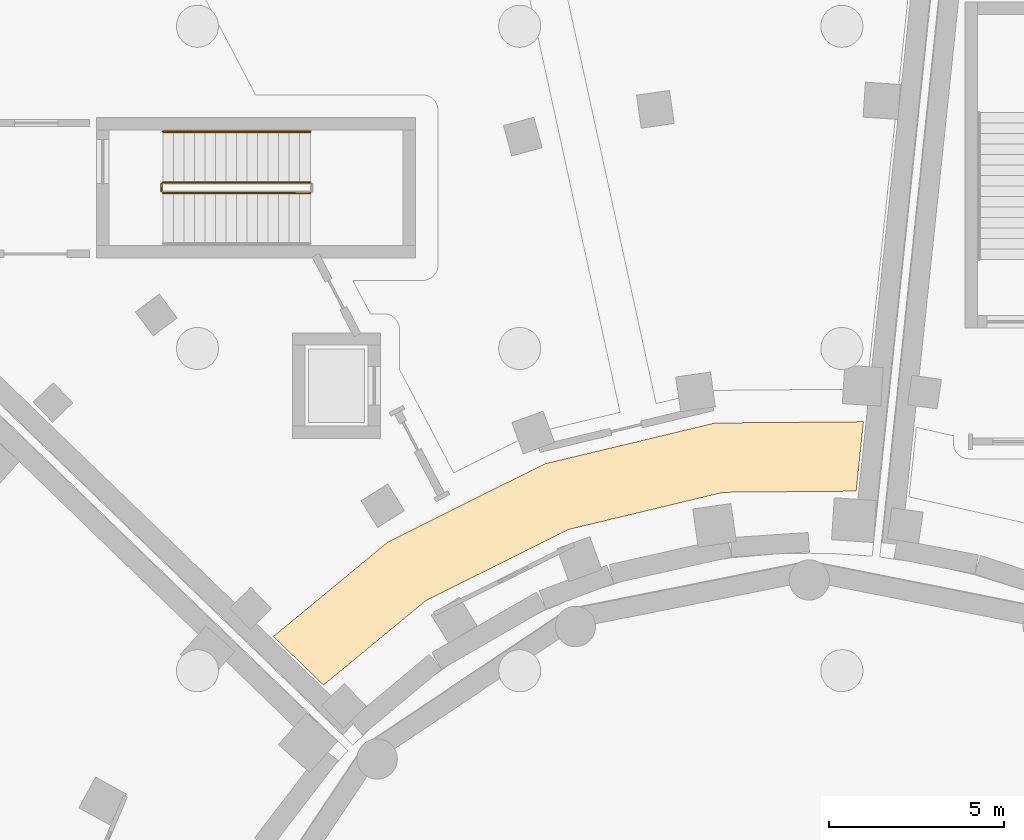
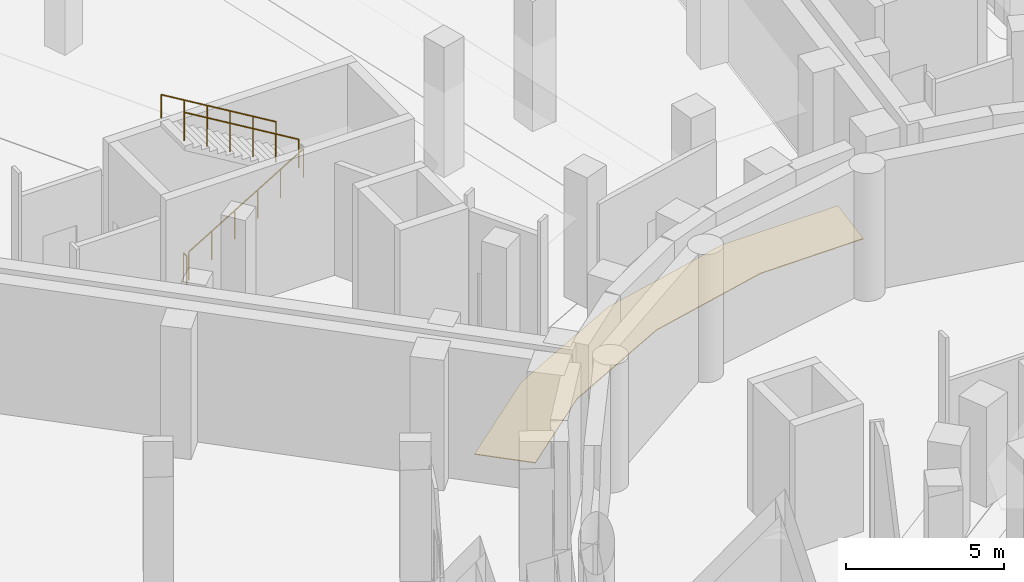
# One storey, part 26 of 33: 4 railings, 1 covering.
"""IFC4 building model written with IfcOpenShell, lengths in metres."""

from ifc_helpers import new_model, si_unit, direction, frame, origin, origin_2d, place, context, subcontext, project, spatial, polyline, circle, outline, extrude, material, layer, layer_set, type_object, element, save


model = new_model("IFC4")

# Units and contexts
model_context = context("Model", 3, precision=1e-05, world=origin(), true_north=direction((0.0, 1.0)))
body_context = subcontext(model_context, "Body", "Model", "MODEL_VIEW")
ifc_project = project(units=[si_unit("LENGTHUNIT", "METRE"), si_unit("AREAUNIT", "SQUARE_METRE"), si_unit("VOLUMEUNIT", "CUBIC_METRE"), si_unit("PLANEANGLEUNIT", "RADIAN"), si_unit("MASSUNIT", "GRAM", prefix="KILO")], contexts=[model_context])

# Site, building, storey
site_placement = place(None, origin())
site = spatial("IfcSite", under=ifc_project, at=site_placement, CompositionType="ELEMENT")
building_placement = place(site_placement, origin())
building = spatial("IfcBuilding", under=site, at=building_placement, Name="Soyqirgoq Riverine Aquarium", CompositionType="ELEMENT")
storey_placement = place(building_placement, frame((0.0, 0.0, -5.39990234375)))
storey = spatial("IfcBuildingStorey", under=building, at=storey_placement, Name="B01", CompositionType="ELEMENT", Elevation=-5.39990234375)

# Railings
ifc_material_1 = material(Name="Brushed stainless steel 316L tubular handrail", Category="steel")
railing_type_1 = type_object("IfcRailingType", Name="StairPitchHandrail_920", PredefinedType="HANDRAIL", material=ifc_material_1)
railing_1_placement = place(storey_placement, frame((41.75, 87.25, 2.8798828125)))
element("IfcRailing", 1, at=railing_1_placement, inside=storey, type_object=railing_type_1, Name="B01 ST-4 stair handrail 2", PredefinedType="HANDRAIL", context=body_context, shape_type="SweptSolid", body=[
    extrude(circle(Radius=0.02392578125, at=origin_2d()), frame((0.0, 0.0, 0.89990234375), z_axis=(-0.857488527567, 0.0, 0.514503085598), x_axis=(0.0, -1.0, 0.0)), (0.0, 0.0, 1.0), 4.89794921875),
    extrude(circle(Radius=0.02099609375, at=origin_2d()), origin(), (0.0, 0.0, 1.0), 0.875732421875),
    extrude(circle(Radius=0.02099609375, at=origin_2d()), frame((-0.840087890625, 0.0, 0.50390625)), (0.0, 0.0, 1.0), 0.875732421875),
    extrude(circle(Radius=0.02099609375, at=origin_2d()), frame((-1.679931640625, 0.0, 1.008056640625)), (0.0, 0.0, 1.0), 0.875732421875),
    extrude(circle(Radius=0.02099609375, at=origin_2d()), frame((-2.52001953125, 0.0, 1.511962890625)), (0.0, 0.0, 1.0), 0.875732421875),
    extrude(circle(Radius=0.02099609375, at=origin_2d()), frame((-3.35986328125, 0.0, 2.01611328125)), (0.0, 0.0, 1.0), 0.875732421875),
    extrude(circle(Radius=0.02099609375, at=origin_2d()), frame((-4.199951171875, 0.0, 2.52001953125)), (0.0, 0.0, 1.0), 0.875732421875),
])
ifc_material_2 = material(Name="Painted steel infill stair-well guardrail", Category="steel")
railing_type_2 = type_object("IfcRailingType", Name="StairWellGuard_1120", PredefinedType="GUARDRAIL", material=ifc_material_2)
railing_2_placement = place(storey_placement, frame((37.550048828125, 85.5, 0.179931640625)))
element("IfcRailing", 2, at=railing_2_placement, inside=storey, type_object=railing_type_2, Name="B01 ST-4 stair guard 1", PredefinedType="GUARDRAIL", context=body_context, shape_type="SweptSolid", body=[
    extrude(circle(Radius=0.02392578125, at=origin_2d()), frame((0.0, 0.0, 1.09619140625), z_axis=(0.857488527567, 0.0, 0.514503085598), x_axis=(0.0, 1.0, 0.0)), (0.0, 0.0, 1.0), 4.89794921875),
    extrude(circle(Radius=0.02099609375, at=origin_2d()), origin(), (0.0, 0.0, 1.0), 1.072021484375),
    extrude(circle(Radius=0.02099609375, at=origin_2d()), frame((0.840087890625, 0.0, 0.50390625)), (0.0, 0.0, 1.0), 1.072021484375),
    extrude(circle(Radius=0.02099609375, at=origin_2d()), frame((1.679931640625, 0.0, 1.008056640625)), (0.0, 0.0, 1.0), 1.072021484375),
    extrude(circle(Radius=0.02099609375, at=origin_2d()), frame((2.52001953125, 0.0, 1.511962890625)), (0.0, 0.0, 1.0), 1.072021484375),
    extrude(circle(Radius=0.02099609375, at=origin_2d()), frame((3.35986328125, 0.0, 2.01611328125)), (0.0, 0.0, 1.0), 1.072021484375),
    extrude(circle(Radius=0.02099609375, at=origin_2d()), frame((4.199951171875, 0.0, 2.52001953125)), (0.0, 0.0, 1.0), 1.072021484375),
])
railing_3_placement = place(storey_placement, frame((41.75, 85.800048828125, 2.8798828125)))
element("IfcRailing", 3, at=railing_3_placement, inside=storey, type_object=railing_type_2, Name="B01 ST-4 stair guard 3", PredefinedType="GUARDRAIL", context=body_context, shape_type="SweptSolid", body=[
    extrude(circle(Radius=0.02392578125, at=origin_2d()), frame((0.0, 0.0, 1.09619140625), z_axis=(-0.857488527567, 0.0, 0.514503085598), x_axis=(0.0, -1.0, 0.0)), (0.0, 0.0, 1.0), 4.89794921875),
    extrude(circle(Radius=0.02099609375, at=origin_2d()), origin(), (0.0, 0.0, 1.0), 1.072021484375),
    extrude(circle(Radius=0.02099609375, at=origin_2d()), frame((-0.840087890625, 0.0, 0.50390625)), (0.0, 0.0, 1.0), 1.072021484375),
    extrude(circle(Radius=0.02099609375, at=origin_2d()), frame((-1.679931640625, 0.0, 1.008056640625)), (0.0, 0.0, 1.0), 1.072021484375),
    extrude(circle(Radius=0.02099609375, at=origin_2d()), frame((-2.52001953125, 0.0, 1.511962890625)), (0.0, 0.0, 1.0), 1.072021484375),
    extrude(circle(Radius=0.02099609375, at=origin_2d()), frame((-3.35986328125, 0.0, 2.01611328125)), (0.0, 0.0, 1.0), 1.072021484375),
    extrude(circle(Radius=0.02099609375, at=origin_2d()), frame((-4.199951171875, 0.0, 2.52001953125)), (0.0, 0.0, 1.0), 1.072021484375),
])
railing_4_placement = place(storey_placement, frame((37.5, 85.550048828125, 0.0)))
element("IfcRailing", 4, at=railing_4_placement, inside=storey, type_object=railing_type_2, Name="B01 ST-4 stair guard 4", PredefinedType="GUARDRAIL", context=body_context, shape_type="SweptSolid", body=[
    extrude(circle(Radius=0.02392578125, at=origin_2d()), frame((0.0, 0.0, 1.09619140625), z_axis=(0.0, 1.0, 0.0), x_axis=(-1.0, 0.0, 0.0)), (0.0, 0.0, 1.0), 0.199951171875),
    extrude(circle(Radius=0.02099609375, at=origin_2d()), origin(), (0.0, 0.0, 1.0), 1.072021484375),
    extrude(circle(Radius=0.02099609375, at=origin_2d()), frame((0.0, 0.199951171875, 0.0)), (0.0, 0.0, 1.0), 1.072021484375),
])

# Covering
ifc_material_3 = material(Name="Polished Chirchiq river-pebble terrazzo flooring", Category="concrete")
ifc_layer = layer(ifc_material_3, 0.030029296875)
ifc_layer_set = layer_set([ifc_layer], Name="Polished Chirchiq river-pebble terrazzo flooring")
covering_type = type_object("IfcCoveringType", Name="TerrazzoFloorFinish_30", PredefinedType="FLOORING", material=ifc_layer_set)
covering_placement = place(storey_placement, origin())
element("IfcCovering", 5, at=covering_placement, inside=storey, type_object=covering_type, Name="V4 Gallery Circulation Corridor Floor Finish", PredefinedType="FLOORING", context=body_context, shape_type="SweptSolid", body=[
    extrude(outline(polyline([(57.3359375, 76.986083984375), (53.60107421875, 76.952880859375), (53.550048828125, 76.949951171875), (53.5, 76.94091796875), (49.174072265625, 75.903076171875), (49.125, 75.887939453125), (49.0791015625, 75.867919921875), (45.096923828125, 73.883056640625), (45.052978515625, 73.85693359375), (45.011962890625, 73.826904296875), (42.12890625, 71.450927734375), (40.695068359375, 72.8359375), (43.965087890625, 75.531982421875), (48.44189453125, 77.764892578125), (53.306884765625, 78.931884765625), (57.544921875, 78.968994140625), (57.3359375, 76.986083984375)])), origin(), (0.0, 0.0, 1.0), 0.02978515625),
])

save(model, "model.ifc")
